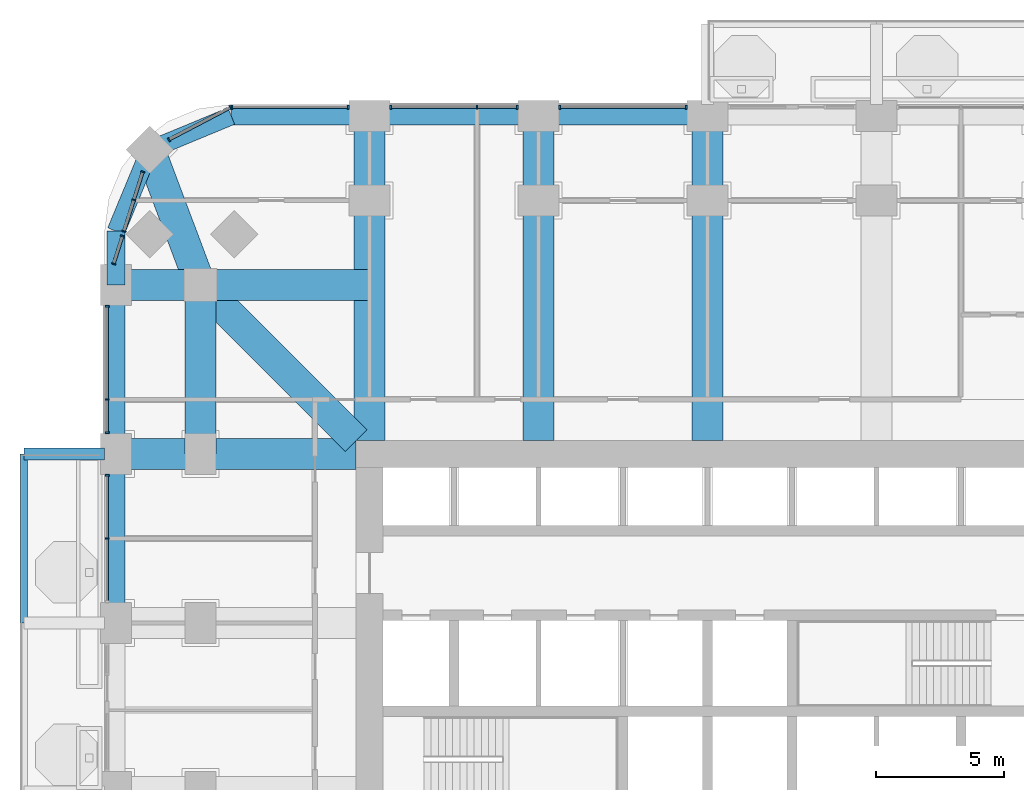
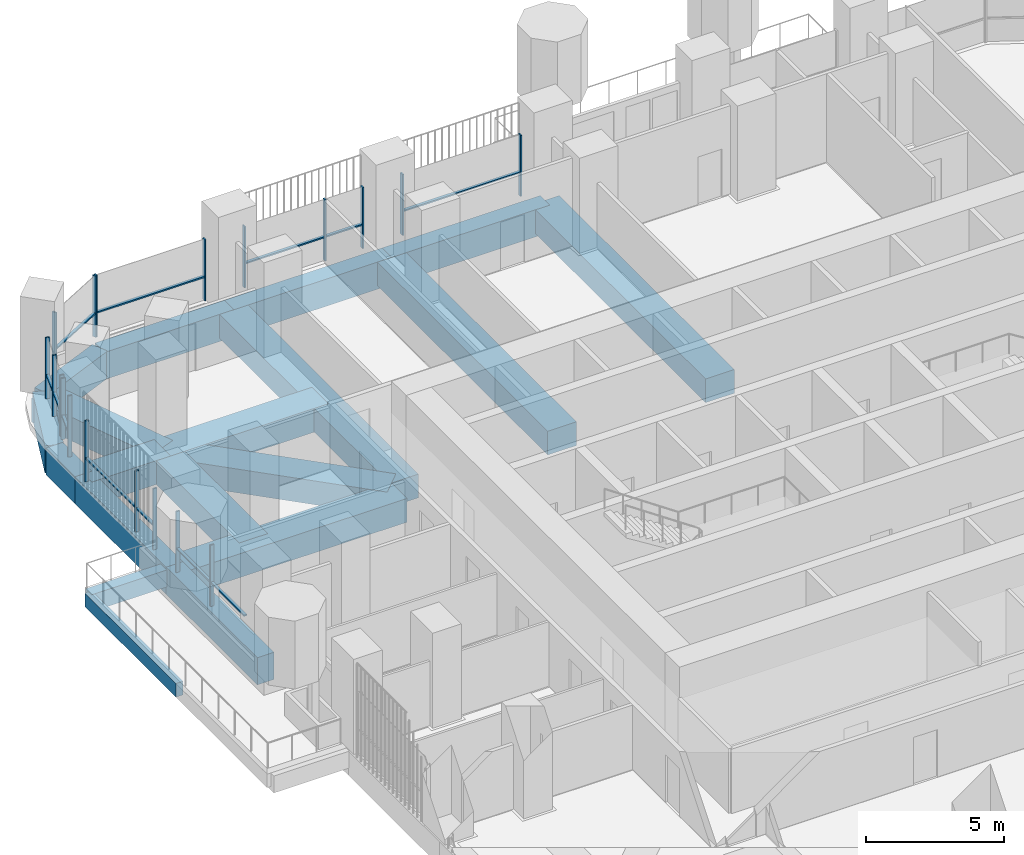
# One storey, part 6 of 23: 31 members, 19 beams, 8 elements without a shape of their own.
"""IFC4 building model written with IfcOpenShell, lengths in metres."""

from ifc_helpers import new_model, si_unit, direction, frame, origin, origin_2d, place, context, subcontext, project, spatial, rectangle, extrude, material, material_profile, profile_set, type_object, element, aggregate, save


model = new_model("IFC4")

# Units and contexts
model_context = context("Model", 3, precision=1e-05, world=origin(), true_north=direction((0.0, 1.0)))
body_context = subcontext(model_context, "Body", "Model", "MODEL_VIEW")
ifc_project = project(units=[si_unit("LENGTHUNIT", "METRE"), si_unit("AREAUNIT", "SQUARE_METRE"), si_unit("VOLUMEUNIT", "CUBIC_METRE"), si_unit("PLANEANGLEUNIT", "RADIAN"), si_unit("MASSUNIT", "GRAM", prefix="KILO")], contexts=[model_context])

# Site, building, storey
site_placement = place(None, origin())
site = spatial("IfcSite", under=ifc_project, at=site_placement, CompositionType="ELEMENT")
building_placement = place(site_placement, origin())
building = spatial("IfcBuilding", under=site, at=building_placement, Name="Cobogo Forest Laboratory Tower", CompositionType="ELEMENT")
storey_placement = place(building_placement, frame((0.0, 0.0, 103.199951171875)))
storey = spatial("IfcBuildingStorey", under=building, at=storey_placement, Name="L23", CompositionType="ELEMENT", Elevation=103.199951171875)

# Beams
ifc_material_1 = material(Name="Concrete HA-40 (C40/50)", Category="concrete")
ifc_material_profile_1 = material_profile(ifc_material_1, rectangle(XDim=0.449951171875, YDim=0.75, at=origin_2d()), Name="RC 450x750")
ifc_profile_set_1 = profile_set([ifc_material_profile_1], Name="Concrete HA-40 (C40/50)")
beam_type_1 = type_object("IfcBeamType", Name="Balcony cantilever beam 450x750", PredefinedType="BEAM", material=ifc_profile_set_1)
beam_1_placement = place(storey_placement, frame((2.85009765625, 33.0, -0.625), z_axis=(-1.0, 0.0, 0.0), x_axis=(0.0, -1.0, 0.0)))
element("IfcBeam", 1, at=beam_1_placement, inside=storey, type_object=beam_type_1, Name="CB1 BAL-W1-C3 L23", PredefinedType="BEAM", context=body_context, shape_type="SweptSolid", body=[
    extrude(rectangle(XDim=0.449951171875, YDim=0.75, at=origin_2d()), origin(), (0.0, 0.0, 1.0), 3.150146484375),
])
ifc_material_profile_2 = material_profile(ifc_material_1, rectangle(XDim=0.300048828125, YDim=0.60009765625, at=origin_2d()), Name="RC 300x600")
ifc_profile_set_2 = profile_set([ifc_material_profile_2], Name="Concrete HA-40 (C40/50)")
beam_type_2 = type_object("IfcBeamType", Name="Balcony edge beam 300x600", PredefinedType="BEAM", material=ifc_profile_set_2)
beam_2_placement = place(storey_placement, frame((-0.300048828125, 26.39990234375, -0.550048828125), z_axis=(0.0, 1.0, 0.0), x_axis=(-1.0, 0.0, 0.0)))
element("IfcBeam", 2, at=beam_2_placement, inside=storey, type_object=beam_type_2, Name="BB1 BAL-W1-T2 L23", PredefinedType="BEAM", context=body_context, shape_type="SweptSolid", body=[
    extrude(rectangle(XDim=0.300048828125, YDim=0.60009765625, at=origin_2d()), origin(), (0.0, 0.0, 1.0), 6.60009765625),
])
ifc_material_profile_3 = material_profile(ifc_material_1, rectangle(XDim=1.199951171875, YDim=1.050048828125, at=origin_2d()), Name="RC 1200x1050")
ifc_profile_set_3 = profile_set([ifc_material_profile_3], Name="Concrete HA-40 (C40/50)")
beam_type_3 = type_object("IfcBeamType", Name="Laboratory floor wide beam 1200x1050", PredefinedType="BEAM", material=ifc_profile_set_3)
for number, where, z_axis, x_axis, name in (
    (3, (13.199951171875, 33.52490234375, -0.824951171875), (0.0, 1.0, 0.0), (-1.0, 0.0, 0.0), "RB1 R-3-N L23"),
    (4, (19.800048828125, 33.52490234375, -0.824951171875), (0.0, 1.0, 0.0), (-1.0, 0.0, 0.0), "RB1 R-4-N L23"),
    (5, (26.39990234375, 33.52490234375, -0.824951171875), (0.0, 1.0, 0.0), (-1.0, 0.0, 0.0), "RB1 R-5-N L23"),
):
    element("IfcBeam", number, at=place(storey_placement, frame(where, z_axis=z_axis, x_axis=x_axis)), inside=storey, type_object=beam_type_3, Name=name, PredefinedType="BEAM", context=body_context, shape_type="SweptSolid", body=[
        extrude(rectangle(XDim=1.199951171875, YDim=1.050048828125, at=origin_2d()), origin(), (0.0, 0.0, 1.0), 12.675048828125),
    ])
beam_3_placement = place(storey_placement, frame((12.675048828125, 33.0, -0.824951171875), z_axis=(-1.0, 0.0, 0.0), x_axis=(0.0, -1.0, 0.0)))
element("IfcBeam", 6, at=beam_3_placement, inside=storey, type_object=beam_type_3, Name="RB1 R-F-W L23", PredefinedType="BEAM", context=body_context, shape_type="SweptSolid", body=[
    extrude(rectangle(XDim=1.199951171875, YDim=1.050048828125, at=origin_2d()), origin(), (0.0, 0.0, 1.0), 9.375),
])
beam_4_placement = place(storey_placement, frame((6.60009765625, 39.60009765625, -0.824951171875), z_axis=(0.0, -1.0, 0.0), x_axis=(1.0, 0.0, 0.0)))
element("IfcBeam", 7, at=beam_4_placement, inside=storey, type_object=beam_type_3, Name="RB1 G-NW-XC L23", PredefinedType="BEAM", context=body_context, shape_type="SweptSolid", body=[
    extrude(rectangle(XDim=1.199951171875, YDim=1.050048828125, at=origin_2d()), origin(), (0.0, 0.0, 1.0), 6.60009765625),
])
beam_5_placement = place(storey_placement, frame((3.300048828125, 39.60009765625, -0.824951171875), z_axis=(1.0, 0.0, 0.0), x_axis=(0.0, 1.0, 0.0)))
element("IfcBeam", 8, at=beam_5_placement, inside=storey, type_object=beam_type_3, Name="RB1 G-NW-YF L23", PredefinedType="BEAM", context=body_context, shape_type="SweptSolid", body=[
    extrude(rectangle(XDim=1.199951171875, YDim=1.050048828125, at=origin_2d()), origin(), (0.0, 0.0, 1.0), 3.300048828125),
])
beam_6_placement = place(storey_placement, frame((6.60009765625, 39.60009765625, -0.824951171875), z_axis=(1.0, 0.0, 0.0), x_axis=(0.0, 1.0, 0.0)))
element("IfcBeam", 9, at=beam_6_placement, inside=storey, type_object=beam_type_3, Name="RB1 G-NW-YC L23", PredefinedType="BEAM", context=body_context, shape_type="SweptSolid", body=[
    extrude(rectangle(XDim=1.199951171875, YDim=1.050048828125, at=origin_2d()), origin(), (0.0, 0.0, 1.0), 6.599853515625),
])
beam_7_placement = place(storey_placement, frame((4.617919921875, 44.882080078125, -0.824951171875), z_axis=(0.351346325373, -0.936245565889, 0.0), x_axis=(0.936245565889, 0.351346325373, 0.0)))
element("IfcBeam", 10, at=beam_7_placement, inside=storey, type_object=beam_type_3, Name="RB1 G-NW-D1 L23", PredefinedType="BEAM", context=body_context, shape_type="SweptSolid", body=[
    extrude(rectangle(XDim=1.199951171875, YDim=1.050048828125, at=origin_2d()), origin(), (0.0, 0.0, 1.0), 5.6416015625),
])
beam_8_placement = place(storey_placement, frame((6.60009765625, 39.60009765625, -0.824951171875), z_axis=(0.707092572697, -0.70712098939, 0.0), x_axis=(0.70712098939, 0.707092572697, 0.0)))
element("IfcBeam", 11, at=beam_8_placement, inside=storey, type_object=beam_type_3, Name="RB1 G-NW-D2 L23", PredefinedType="BEAM", context=body_context, shape_type="SweptSolid", body=[
    extrude(rectangle(XDim=1.199951171875, YDim=1.050048828125, at=origin_2d()), origin(), (0.0, 0.0, 1.0), 8.591552734375),
])

# Curtain wall, members
ifc_material_2 = material(Name="Aluminium curtain wall", Category="aluminium")
curtain_wall_type = type_object("IfcCurtainWallType", Name="CW-1 unitised curtain wall, clear glazing, laboratory floors zones A and B", PredefinedType="USERDEFINED", material=ifc_material_2)
curtain_wall_1_placement = place(storey_placement, origin())
curtain_wall_1 = element("IfcCurtainWall", 12, at=curtain_wall_1_placement, inside=storey, type_object=curtain_wall_type, Name="Curtain wall 21 L23", ObjectType="UNITISED CURTAIN WALL", PredefinedType="USERDEFINED")
ifc_material_3 = material(Name="Aluminium mullion", Category="aluminium")
ifc_material_profile_4 = material_profile(ifc_material_3, rectangle(XDim=0.06005859375, YDim=0.159912109375, at=origin_2d()), Name="AL 60x160")
ifc_profile_set_4 = profile_set([ifc_material_profile_4], Name="Aluminium mullion")
member_type_1 = type_object("IfcMemberType", Name="MU-1 aluminium mullion 60x160", PredefinedType="MULLION", material=ifc_profile_set_4)
member_1_placement = place(storey_placement, frame((25.570068359375, 46.550048828125, 0.0), z_axis=(0.0, 0.0, 1.0), x_axis=(-1.0, 0.0, 0.0)))
member_1 = element("IfcMember", 13, at=member_1_placement, type_object=member_type_1, Name="CW-1 mullion 1", PredefinedType="MULLION", context=body_context, shape_type="SweptSolid", body=[
    extrude(rectangle(XDim=0.06005859375, YDim=0.159912109375, at=origin_2d()), origin(), (0.0, 0.0, 1.0), 2.699951171875),
])
member_2_placement = place(storey_placement, frame((20.6298828125, 46.550048828125, 0.0), z_axis=(0.0, 0.0, 1.0), x_axis=(-1.0, 0.0, 0.0)))
member_2 = element("IfcMember", 14, at=member_2_placement, type_object=member_type_1, Name="CW-1 mullion 2", PredefinedType="MULLION", context=body_context, shape_type="SweptSolid", body=[
    extrude(rectangle(XDim=0.06005859375, YDim=0.159912109375, at=origin_2d()), origin(), (0.0, 0.0, 1.0), 2.699951171875),
])

curtain_wall_2_placement = place(storey_placement, origin())
curtain_wall_2 = element("IfcCurtainWall", 15, at=curtain_wall_2_placement, inside=storey, type_object=curtain_wall_type, Name="Curtain wall 22 L23", ObjectType="UNITISED CURTAIN WALL", PredefinedType="USERDEFINED")
member_3_placement = place(storey_placement, frame((18.969970703125, 46.550048828125, 0.0), z_axis=(0.0, 0.0, 1.0), x_axis=(-1.0, 0.0, 0.0)))
member_3 = element("IfcMember", 16, at=member_3_placement, type_object=member_type_1, Name="CW-1 mullion 1", PredefinedType="MULLION", context=body_context, shape_type="SweptSolid", body=[
    extrude(rectangle(XDim=0.06005859375, YDim=0.159912109375, at=origin_2d()), origin(), (0.0, 0.0, 1.0), 2.699951171875),
])
member_4_placement = place(storey_placement, frame((17.39990234375, 46.550048828125, 0.0), z_axis=(0.0, 0.0, 1.0), x_axis=(-1.0, 0.0, 0.0)))
member_4 = element("IfcMember", 17, at=member_4_placement, type_object=member_type_1, Name="CW-1 mullion 2", PredefinedType="MULLION", context=body_context, shape_type="SweptSolid", body=[
    extrude(rectangle(XDim=0.06005859375, YDim=0.159912109375, at=origin_2d()), origin(), (0.0, 0.0, 1.0), 2.699951171875),
])
member_5_placement = place(storey_placement, frame((14.030029296875, 46.550048828125, 0.0), z_axis=(0.0, 0.0, 1.0), x_axis=(-1.0, 0.0, 0.0)))
member_5 = element("IfcMember", 18, at=member_5_placement, type_object=member_type_1, Name="CW-1 mullion 3", PredefinedType="MULLION", context=body_context, shape_type="SweptSolid", body=[
    extrude(rectangle(XDim=0.06005859375, YDim=0.159912109375, at=origin_2d()), origin(), (0.0, 0.0, 1.0), 2.699951171875),
])

curtain_wall_3_placement = place(storey_placement, origin())
curtain_wall_3 = element("IfcCurtainWall", 19, at=curtain_wall_3_placement, inside=storey, type_object=curtain_wall_type, Name="Curtain wall 23 L23", ObjectType="UNITISED CURTAIN WALL", PredefinedType="USERDEFINED")
member_6_placement = place(storey_placement, frame((12.3701171875, 46.550048828125, 0.0), z_axis=(0.0, 0.0, 1.0), x_axis=(-1.0, 0.0, 0.0)))
member_6 = element("IfcMember", 20, at=member_6_placement, type_object=member_type_1, Name="CW-1 mullion 1", PredefinedType="MULLION", context=body_context, shape_type="SweptSolid", body=[
    extrude(rectangle(XDim=0.06005859375, YDim=0.159912109375, at=origin_2d()), origin(), (0.0, 0.0, 1.0), 2.699951171875),
])
member_7_placement = place(storey_placement, frame((7.830078125, 46.550048828125, 0.0), z_axis=(0.0, 0.0, 1.0), x_axis=(-1.0, 0.0, 0.0)))
member_7 = element("IfcMember", 21, at=member_7_placement, type_object=member_type_1, Name="CW-1 mullion 2", PredefinedType="MULLION", context=body_context, shape_type="SweptSolid", body=[
    extrude(rectangle(XDim=0.06005859375, YDim=0.159912109375, at=origin_2d()), origin(), (0.0, 0.0, 1.0), 2.699951171875),
])

curtain_wall_4_placement = place(storey_placement, origin())
curtain_wall_4 = element("IfcCurtainWall", 22, at=curtain_wall_4_placement, inside=storey, type_object=curtain_wall_type, Name="Curtain wall 24 L23", ObjectType="UNITISED CURTAIN WALL", PredefinedType="USERDEFINED")
member_8_placement = place(storey_placement, frame((7.7734375, 46.5361328125, 0.0), z_axis=(0.0, 0.0, 1.0), x_axis=(-0.885686547075, -0.464283685186, 0.0)))
member_8 = element("IfcMember", 23, at=member_8_placement, type_object=member_type_1, Name="CW-1 mullion 1", PredefinedType="MULLION", context=body_context, shape_type="SweptSolid", body=[
    extrude(rectangle(XDim=0.06005859375, YDim=0.159912109375, at=origin_2d()), origin(), (0.0, 0.0, 1.0), 2.699951171875),
])
member_9_placement = place(storey_placement, frame((5.368408203125, 45.275390625, 0.0), z_axis=(0.0, 0.0, 1.0), x_axis=(-0.885686547075, -0.464283685186, 0.0)))
member_9 = element("IfcMember", 24, at=member_9_placement, type_object=member_type_1, Name="CW-1 mullion 2", PredefinedType="MULLION", context=body_context, shape_type="SweptSolid", body=[
    extrude(rectangle(XDim=0.06005859375, YDim=0.159912109375, at=origin_2d()), origin(), (0.0, 0.0, 1.0), 2.699951171875),
])

curtain_wall_5_placement = place(storey_placement, origin())
curtain_wall_5 = element("IfcCurtainWall", 25, at=curtain_wall_5_placement, inside=storey, type_object=curtain_wall_type, Name="Curtain wall 25 L23", ObjectType="UNITISED CURTAIN WALL", PredefinedType="USERDEFINED")
member_10_placement = place(storey_placement, frame((4.34423828125, 44.01513671875, 0.0), z_axis=(0.0, 0.0, 1.0), x_axis=(-0.301135291996, -0.953581425949, 0.0)))
member_10 = element("IfcMember", 26, at=member_10_placement, type_object=member_type_1, Name="CW-1 mullion 1", PredefinedType="MULLION", context=body_context, shape_type="SweptSolid", body=[
    extrude(rectangle(XDim=0.06005859375, YDim=0.159912109375, at=origin_2d()), origin(), (0.0, 0.0, 1.0), 2.699951171875),
])
member_11_placement = place(storey_placement, frame((3.999755859375, 42.924072265625, 0.0), z_axis=(0.0, 0.0, 1.0), x_axis=(-0.301135291996, -0.953581425949, 0.0)))
member_11 = element("IfcMember", 27, at=member_11_placement, type_object=member_type_1, Name="CW-1 mullion 2", PredefinedType="MULLION", context=body_context, shape_type="SweptSolid", body=[
    extrude(rectangle(XDim=0.06005859375, YDim=0.159912109375, at=origin_2d()), origin(), (0.0, 0.0, 1.0), 2.699951171875),
])
member_12_placement = place(storey_placement, frame((3.613037109375, 41.69970703125, 0.0), z_axis=(0.0, 0.0, 1.0), x_axis=(-0.301135291996, -0.953581425949, 0.0)))
member_12 = element("IfcMember", 28, at=member_12_placement, type_object=member_type_1, Name="CW-1 mullion 3", PredefinedType="MULLION", context=body_context, shape_type="SweptSolid", body=[
    extrude(rectangle(XDim=0.06005859375, YDim=0.159912109375, at=origin_2d()), origin(), (0.0, 0.0, 1.0), 2.699951171875),
])

curtain_wall_6_placement = place(storey_placement, origin())
curtain_wall_6 = element("IfcCurtainWall", 29, at=curtain_wall_6_placement, inside=storey, type_object=curtain_wall_type, Name="Curtain wall 26 L23", ObjectType="UNITISED CURTAIN WALL", PredefinedType="USERDEFINED")
member_13_placement = place(storey_placement, frame((3.55224609375, 41.507080078125, 0.0), z_axis=(0.0, 0.0, 1.0), x_axis=(-0.301135667865, -0.953581307252, 0.0)))
member_13 = element("IfcMember", 30, at=member_13_placement, type_object=member_type_1, Name="CW-1 mullion 1", PredefinedType="MULLION", context=body_context, shape_type="SweptSolid", body=[
    extrude(rectangle(XDim=0.06005859375, YDim=0.159912109375, at=origin_2d()), origin(), (0.0, 0.0, 1.0), 2.699951171875),
])
member_14_placement = place(storey_placement, frame((3.211669921875, 40.4287109375, 0.0), z_axis=(0.0, 0.0, 1.0), x_axis=(-0.301135667865, -0.953581307252, 0.0)))
member_14 = element("IfcMember", 31, at=member_14_placement, type_object=member_type_1, Name="CW-1 mullion 2", PredefinedType="MULLION", context=body_context, shape_type="SweptSolid", body=[
    extrude(rectangle(XDim=0.06005859375, YDim=0.159912109375, at=origin_2d()), origin(), (0.0, 0.0, 1.0), 2.699951171875),
])

curtain_wall_7_placement = place(storey_placement, origin())
curtain_wall_7 = element("IfcCurtainWall", 32, at=curtain_wall_7_placement, inside=storey, type_object=curtain_wall_type, Name="Curtain wall 27 L23", ObjectType="UNITISED CURTAIN WALL", PredefinedType="USERDEFINED")
member_15_placement = place(storey_placement, frame((2.949951171875, 38.77001953125, 0.0), z_axis=(0.0, 0.0, 1.0), x_axis=(0.0, -1.0, 0.0)))
member_15 = element("IfcMember", 33, at=member_15_placement, type_object=member_type_1, Name="CW-1 mullion 1", PredefinedType="MULLION", context=body_context, shape_type="SweptSolid", body=[
    extrude(rectangle(XDim=0.06005859375, YDim=0.159912109375, at=origin_2d()), origin(), (0.0, 0.0, 1.0), 2.699951171875),
])
member_16_placement = place(storey_placement, frame((2.949951171875, 35.125, 0.0), z_axis=(0.0, 0.0, 1.0), x_axis=(0.0, -1.0, 0.0)))
member_16 = element("IfcMember", 34, at=member_16_placement, type_object=member_type_1, Name="CW-1 mullion 2", PredefinedType="MULLION", context=body_context, shape_type="SweptSolid", body=[
    extrude(rectangle(XDim=0.06005859375, YDim=0.159912109375, at=origin_2d()), origin(), (0.0, 0.0, 1.0), 2.699951171875),
])
member_17_placement = place(storey_placement, frame((2.949951171875, 33.830078125, 0.0), z_axis=(0.0, 0.0, 1.0), x_axis=(0.0, -1.0, 0.0)))
member_17 = element("IfcMember", 35, at=member_17_placement, type_object=member_type_1, Name="CW-1 mullion 3", PredefinedType="MULLION", context=body_context, shape_type="SweptSolid", body=[
    extrude(rectangle(XDim=0.06005859375, YDim=0.159912109375, at=origin_2d()), origin(), (0.0, 0.0, 1.0), 2.699951171875),
])

curtain_wall_8_placement = place(storey_placement, origin())
curtain_wall_8 = element("IfcCurtainWall", 36, at=curtain_wall_8_placement, inside=storey, type_object=curtain_wall_type, Name="Curtain wall 28 L23", ObjectType="UNITISED CURTAIN WALL", PredefinedType="USERDEFINED")
member_18_placement = place(storey_placement, frame((2.949951171875, 32.169921875, 0.0), z_axis=(0.0, 0.0, 1.0), x_axis=(0.0, -1.0, 0.0)))
member_18 = element("IfcMember", 37, at=member_18_placement, type_object=member_type_1, Name="CW-1 mullion 1", PredefinedType="MULLION", context=body_context, shape_type="SweptSolid", body=[
    extrude(rectangle(XDim=0.06005859375, YDim=0.159912109375, at=origin_2d()), origin(), (0.0, 0.0, 1.0), 2.699951171875),
])
member_19_placement = place(storey_placement, frame((2.949951171875, 29.699951171875, 0.0), z_axis=(0.0, 0.0, 1.0), x_axis=(0.0, -1.0, 0.0)))
member_19 = element("IfcMember", 38, at=member_19_placement, type_object=member_type_1, Name="CW-1 mullion 2", PredefinedType="MULLION", context=body_context, shape_type="SweptSolid", body=[
    extrude(rectangle(XDim=0.06005859375, YDim=0.159912109375, at=origin_2d()), origin(), (0.0, 0.0, 1.0), 2.699951171875),
])

# Beams
ifc_material_profile_5 = material_profile(ifc_material_1, rectangle(XDim=0.699951171875, YDim=1.199951171875, at=origin_2d()), Name="RC 700x1200")
ifc_profile_set_5 = profile_set([ifc_material_profile_5], Name="Concrete HA-40 (C40/50)")
beam_type_4 = type_object("IfcBeamType", Name="Perimeter edge beam 700x1200", PredefinedType="BEAM", material=ifc_profile_set_5)
beam_9_placement = place(storey_placement, frame((13.199951171875, 46.199951171875, -0.89990234375), z_axis=(1.0, 0.0, 0.0), x_axis=(0.0, 1.0, 0.0)))
element("IfcBeam", 39, at=beam_9_placement, inside=storey, type_object=beam_type_4, Name="EB1 E-N1 L23", PredefinedType="BEAM", context=body_context, shape_type="SweptSolid", body=[
    extrude(rectangle(XDim=0.699951171875, YDim=1.199951171875, at=origin_2d()), origin(), (0.0, 0.0, 1.0), 6.60009765625),
])
beam_10_placement = place(storey_placement, frame((19.800048828125, 46.199951171875, -0.89990234375), z_axis=(1.0, 0.0, 0.0), x_axis=(0.0, 1.0, 0.0)))
element("IfcBeam", 40, at=beam_10_placement, inside=storey, type_object=beam_type_4, Name="EB1 E-N2 L23", PredefinedType="BEAM", context=body_context, shape_type="SweptSolid", body=[
    extrude(rectangle(XDim=0.699951171875, YDim=1.199951171875, at=origin_2d()), origin(), (0.0, 0.0, 1.0), 6.599853515625),
])
for number, where, z_axis, x_axis, name in (
    (41, (3.300048828125, 26.39990234375, -0.89990234375), (0.0, 1.0, 0.0), (-1.0, 0.0, 0.0), "EB1 E-W4 L23"),
    (42, (3.300048828125, 33.0, -0.89990234375), (0.0, 1.0, 0.0), (-1.0, 0.0, 0.0), "EB1 E-W5 L23"),
):
    element("IfcBeam", number, at=place(storey_placement, frame(where, z_axis=z_axis, x_axis=x_axis)), inside=storey, type_object=beam_type_4, Name=name, PredefinedType="BEAM", context=body_context, shape_type="SweptSolid", body=[
        extrude(rectangle(XDim=0.699951171875, YDim=1.199951171875, at=origin_2d()), origin(), (0.0, 0.0, 1.0), 6.60009765625),
    ])
beam_11_placement = place(storey_placement, frame((13.199951171875, 46.199951171875, -0.89990234375), z_axis=(-1.0, 0.0, 0.0), x_axis=(0.0, -1.0, 0.0)))
element("IfcBeam", 43, at=beam_11_placement, inside=storey, type_object=beam_type_4, Name="EB1 E-NWN1 L23", PredefinedType="BEAM", context=body_context, shape_type="SweptSolid", body=[
    extrude(rectangle(XDim=0.699951171875, YDim=1.199951171875, at=origin_2d()), origin(), (0.0, 0.0, 1.0), 5.39990234375),
])
beam_12_placement = place(storey_placement, frame((7.800048828125, 46.199951171875, -0.89990234375), z_axis=(-0.923901072997, -0.382631424892, 0.0), x_axis=(0.382631424892, -0.923901072997, 0.0)))
element("IfcBeam", 44, at=beam_12_placement, inside=storey, type_object=beam_type_4, Name="EB1 E-NWN2 L23", PredefinedType="BEAM", context=body_context, shape_type="SweptSolid", body=[
    extrude(rectangle(XDim=0.699951171875, YDim=1.199951171875, at=origin_2d()), origin(), (0.0, 0.0, 1.0), 3.4443359375),
])
beam_13_placement = place(storey_placement, frame((3.300048828125, 39.60009765625, -0.89990234375), z_axis=(0.0, 1.0, 0.0), x_axis=(-1.0, 0.0, 0.0)))
element("IfcBeam", 45, at=beam_13_placement, inside=storey, type_object=beam_type_4, Name="EB1 E-NWW1 L23", PredefinedType="BEAM", context=body_context, shape_type="SweptSolid", body=[
    extrude(rectangle(XDim=0.699951171875, YDim=1.199951171875, at=origin_2d()), origin(), (0.0, 0.0, 1.0), 2.099853515625),
])
beam_14_placement = place(storey_placement, frame((3.300048828125, 41.699951171875, -0.89990234375), z_axis=(0.382631424892, 0.923901072997, 0.0), x_axis=(-0.923901072997, 0.382631424892, 0.0)))
element("IfcBeam", 46, at=beam_14_placement, inside=storey, type_object=beam_type_4, Name="EB1 E-NWW2 L23", PredefinedType="BEAM", context=body_context, shape_type="SweptSolid", body=[
    extrude(rectangle(XDim=0.699951171875, YDim=1.199951171875, at=origin_2d()), origin(), (0.0, 0.0, 1.0), 3.4443359375),
])

# Member
ifc_material_4 = material(Name="Aluminium transom", Category="aluminium")
ifc_material_profile_6 = material_profile(ifc_material_4, rectangle(XDim=0.1201171875, YDim=0.06005859375, at=origin_2d()), Name="AL 60x120")
ifc_profile_set_6 = profile_set([ifc_material_profile_6], Name="Aluminium transom")
member_type_2 = type_object("IfcMemberType", Name="TR-1 aluminium transom 60x120", PredefinedType="USERDEFINED", material=ifc_profile_set_6)
member_20_placement = place(storey_placement, frame((25.5400390625, 46.550048828125, 1.050048828125), z_axis=(-1.0, 0.0, 0.0), x_axis=(0.0, -1.0, 0.0)))
member_20 = element("IfcMember", 47, at=member_20_placement, type_object=member_type_2, Name="CW-1 transom 1.1", ObjectType="TRANSOM", PredefinedType="USERDEFINED", context=body_context, shape_type="SweptSolid", body=[
    extrude(rectangle(XDim=0.1201171875, YDim=0.06005859375, at=origin_2d()), origin(), (0.0, 0.0, 1.0), 4.880126953125),
])

aggregate(curtain_wall_1, [member_1, member_2, member_20])

member_21_placement = place(storey_placement, frame((18.93994140625, 46.550048828125, 1.050048828125), z_axis=(-1.0, 0.0, 0.0), x_axis=(0.0, -1.0, 0.0)))
member_21 = element("IfcMember", 48, at=member_21_placement, type_object=member_type_2, Name="CW-1 transom 1.1", ObjectType="TRANSOM", PredefinedType="USERDEFINED", context=body_context, shape_type="SweptSolid", body=[
    extrude(rectangle(XDim=0.1201171875, YDim=0.06005859375, at=origin_2d()), origin(), (0.0, 0.0, 1.0), 1.510009765625),
])

member_22_placement = place(storey_placement, frame((17.3701171875, 46.550048828125, 1.050048828125), z_axis=(-1.0, 0.0, 0.0), x_axis=(0.0, -1.0, 0.0)))
member_22 = element("IfcMember", 49, at=member_22_placement, type_object=member_type_2, Name="CW-1 transom 2.1", ObjectType="TRANSOM", PredefinedType="USERDEFINED", context=body_context, shape_type="SweptSolid", body=[
    extrude(rectangle(XDim=0.1201171875, YDim=0.06005859375, at=origin_2d()), origin(), (0.0, 0.0, 1.0), 3.31005859375),
])

aggregate(curtain_wall_2, [member_3, member_4, member_5, member_21, member_22])

member_23_placement = place(storey_placement, frame((12.340087890625, 46.550048828125, 1.050048828125), z_axis=(-1.0, 0.0, 0.0), x_axis=(0.0, -1.0, 0.0)))
member_23 = element("IfcMember", 50, at=member_23_placement, type_object=member_type_2, Name="CW-1 transom 1.1", ObjectType="TRANSOM", PredefinedType="USERDEFINED", context=body_context, shape_type="SweptSolid", body=[
    extrude(rectangle(XDim=0.1201171875, YDim=0.06005859375, at=origin_2d()), origin(), (0.0, 0.0, 1.0), 4.47998046875),
])

aggregate(curtain_wall_3, [member_6, member_7, member_23])

member_24_placement = place(storey_placement, frame((7.746826171875, 46.522216796875, 1.050048828125), z_axis=(-0.885694740493, -0.464268054753, 0.0), x_axis=(0.464268054753, -0.885694740493, 0.0)))
member_24 = element("IfcMember", 51, at=member_24_placement, type_object=member_type_2, Name="CW-1 transom 1.1", ObjectType="TRANSOM", PredefinedType="USERDEFINED", context=body_context, shape_type="SweptSolid", body=[
    extrude(rectangle(XDim=0.1201171875, YDim=0.06005859375, at=origin_2d()), origin(), (0.0, 0.0, 1.0), 2.655517578125),
])

aggregate(curtain_wall_4, [member_8, member_9, member_24])

member_25_placement = place(storey_placement, frame((4.335205078125, 43.986328125, 1.050048828125), z_axis=(-0.301120589075, -0.953586068918, 0.0), x_axis=(0.953586068918, -0.301120589075, 0.0)))
member_25 = element("IfcMember", 52, at=member_25_placement, type_object=member_type_2, Name="CW-1 transom 1.1", ObjectType="TRANSOM", PredefinedType="USERDEFINED", context=body_context, shape_type="SweptSolid", body=[
    extrude(rectangle(XDim=0.1201171875, YDim=0.06005859375, at=origin_2d()), origin(), (0.0, 0.0, 1.0), 1.083984375),
])

member_26_placement = place(storey_placement, frame((3.99072265625, 42.8955078125, 1.050048828125), z_axis=(-0.301169549566, -0.953570606937, 0.0), x_axis=(0.953570606937, -0.301169549566, 0.0)))
member_26 = element("IfcMember", 53, at=member_26_placement, type_object=member_type_2, Name="CW-1 transom 2.1", ObjectType="TRANSOM", PredefinedType="USERDEFINED", context=body_context, shape_type="SweptSolid", body=[
    extrude(rectangle(XDim=0.1201171875, YDim=0.06005859375, at=origin_2d()), origin(), (0.0, 0.0, 1.0), 1.22412109375),
])

aggregate(curtain_wall_5, [member_10, member_11, member_12, member_25, member_26])

member_27_placement = place(storey_placement, frame((3.543212890625, 41.478515625, 1.050048828125), z_axis=(-0.3011422781, -0.953579219751, 0.0), x_axis=(0.953579219751, -0.3011422781, 0.0)))
member_27 = element("IfcMember", 54, at=member_27_placement, type_object=member_type_2, Name="CW-1 transom 1.1", ObjectType="TRANSOM", PredefinedType="USERDEFINED", context=body_context, shape_type="SweptSolid", body=[
    extrude(rectangle(XDim=0.1201171875, YDim=0.06005859375, at=origin_2d()), origin(), (0.0, 0.0, 1.0), 1.071044921875),
])

aggregate(curtain_wall_6, [member_13, member_14, member_27])

member_28_placement = place(storey_placement, frame((2.949951171875, 38.739990234375, 1.050048828125), z_axis=(0.0, -1.0, 0.0), x_axis=(1.0, 0.0, 0.0)))
member_28 = element("IfcMember", 55, at=member_28_placement, type_object=member_type_2, Name="CW-1 transom 1.1", ObjectType="TRANSOM", PredefinedType="USERDEFINED", context=body_context, shape_type="SweptSolid", body=[
    extrude(rectangle(XDim=0.1201171875, YDim=0.06005859375, at=origin_2d()), origin(), (0.0, 0.0, 1.0), 3.5849609375),
])

member_29_placement = place(storey_placement, frame((2.949951171875, 35.094970703125, 1.050048828125), z_axis=(0.0, -1.0, 0.0), x_axis=(1.0, 0.0, 0.0)))
member_29 = element("IfcMember", 56, at=member_29_placement, type_object=member_type_2, Name="CW-1 transom 2.1", ObjectType="TRANSOM", PredefinedType="USERDEFINED", context=body_context, shape_type="SweptSolid", body=[
    extrude(rectangle(XDim=0.1201171875, YDim=0.06005859375, at=origin_2d()), origin(), (0.0, 0.0, 1.0), 1.23486328125),
])

aggregate(curtain_wall_7, [member_15, member_16, member_17, member_28, member_29])

member_30_placement = place(storey_placement, frame((2.949951171875, 32.139892578125, 1.050048828125), z_axis=(0.0, -1.0, 0.0), x_axis=(1.0, 0.0, 0.0)))
member_30 = element("IfcMember", 57, at=member_30_placement, type_object=member_type_2, Name="CW-1 transom 1.1", ObjectType="TRANSOM", PredefinedType="USERDEFINED", context=body_context, shape_type="SweptSolid", body=[
    extrude(rectangle(XDim=0.1201171875, YDim=0.06005859375, at=origin_2d()), origin(), (0.0, 0.0, 1.0), 2.409912109375),
])

member_31_placement = place(storey_placement, frame((2.949951171875, 29.669921875, 1.050048828125), z_axis=(0.0, -1.0, 0.0), x_axis=(1.0, 0.0, 0.0)))
member_31 = element("IfcMember", 58, at=member_31_placement, type_object=member_type_2, Name="CW-1 transom 2.1", ObjectType="TRANSOM", PredefinedType="USERDEFINED", context=body_context, shape_type="SweptSolid", body=[
    extrude(rectangle(XDim=0.1201171875, YDim=0.06005859375, at=origin_2d()), origin(), (0.0, 0.0, 1.0), 2.409912109375),
])

aggregate(curtain_wall_8, [member_18, member_19, member_30, member_31])

save(model, "model.ifc")
